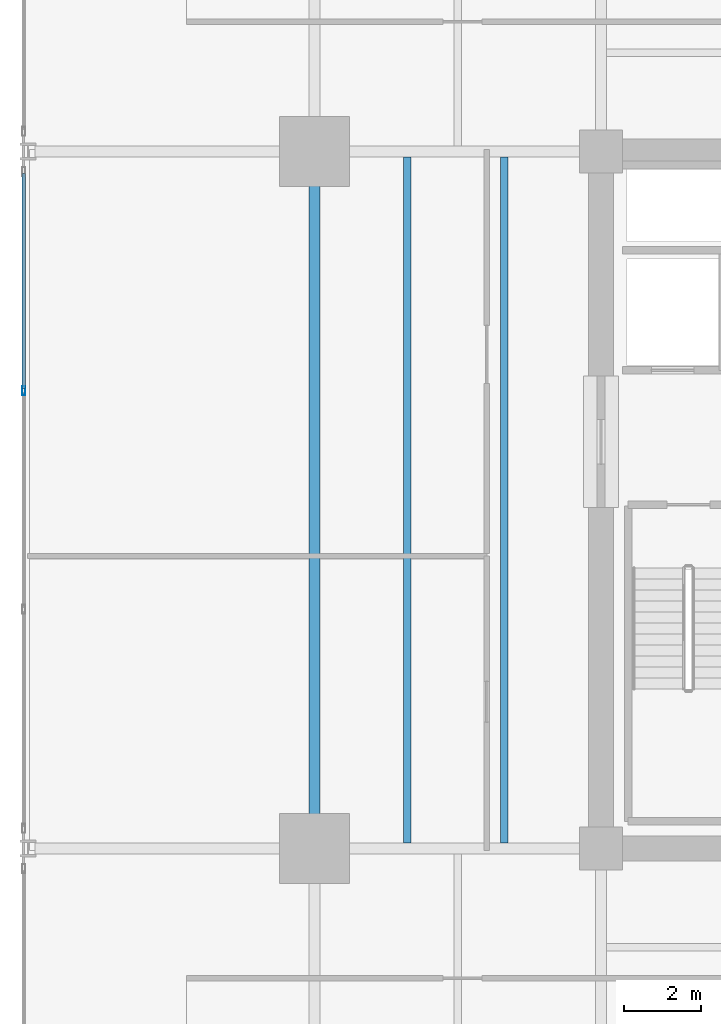
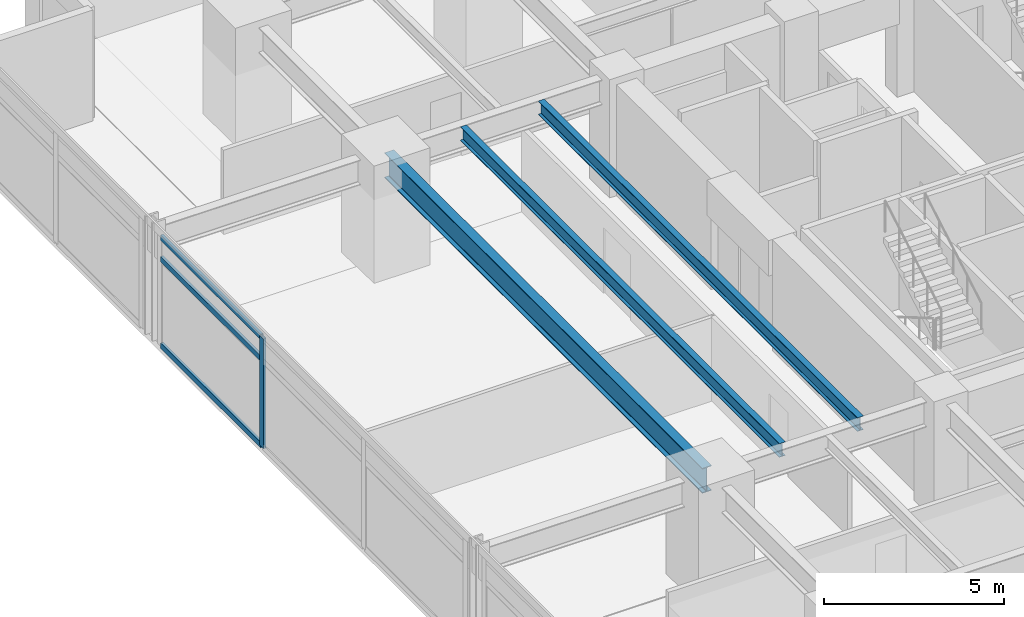
# One storey, part 6 of 23: 4 members, 3 beams, 1 element without a shape of its own.
"""IFC4 building model written with IfcOpenShell, lengths in metres."""

from ifc_helpers import new_model, si_unit, direction, frame, origin, origin_2d, place, context, subcontext, project, spatial, hollow_rectangle, i_section, extrude, material, material_profile, profile_set, type_object, element, aggregate, save


model = new_model("IFC4")

# Units and contexts
model_context = context("Model", 3, precision=1e-05, world=origin(), true_north=direction((0.0, 1.0)))
body_context = subcontext(model_context, "Body", "Model", "MODEL_VIEW")
ifc_project = project(units=[si_unit("LENGTHUNIT", "METRE"), si_unit("AREAUNIT", "SQUARE_METRE"), si_unit("VOLUMEUNIT", "CUBIC_METRE"), si_unit("PLANEANGLEUNIT", "RADIAN"), si_unit("MASSUNIT", "GRAM", prefix="KILO")], contexts=[model_context])

# Site, building, storey
site_placement = place(None, origin())
site = spatial("IfcSite", under=ifc_project, at=site_placement, CompositionType="ELEMENT")
building_placement = place(site_placement, origin())
building = spatial("IfcBuilding", under=site, at=building_placement, Name="Kovane Verandah Tower", CompositionType="ELEMENT")
storey_placement = place(building_placement, frame((0.0, 0.0, 63.60009765625)))
storey = spatial("IfcBuildingStorey", under=building, at=storey_placement, Name="L14", CompositionType="ELEMENT", Elevation=63.60009765625)

# Beam
ifc_material_1 = material(Name="Steel S355", Category="steel")
ifc_material_profile_1 = material_profile(ifc_material_1, i_section(OverallWidth=0.293701171875, OverallDepth=0.850830078125, WebThickness=0.01611328125, FlangeThickness=0.02685546875, FilletRadius=0.017822265625, at=origin_2d()), Name="UB838x292x226")
ifc_profile_set_1 = profile_set([ifc_material_profile_1], Name="Steel S355")
beam_type_1 = type_object("IfcBeamType", Name="BM-UB838x226", PredefinedType="BEAM", material=ifc_profile_set_1)
beam_placement = place(storey_placement, frame((21.60009765625, 18.679931640625, 3.33447265625), z_axis=(0.0, 1.0, 0.0), x_axis=(-1.0, 0.0, 0.0)))
element("IfcBeam", 1, at=beam_placement, inside=storey, type_object=beam_type_1, Name="L14 Primary Tower Girder G-RW2", PredefinedType="BEAM", context=body_context, shape_type="SweptSolid", body=[
    extrude(i_section(OverallWidth=0.293701171875, OverallDepth=0.850830078125, WebThickness=0.01611328125, FlangeThickness=0.02685546875, FilletRadius=0.017822265625, at=origin_2d()), origin(), (0.0, 0.0, 1.0), 17.64013671875),
])

# Curtain wall, members
ifc_material_2 = material(Name="Champagne Anodised Aluminium Frame with Low-E Clear Laminated Glass", Category="aluminium")
curtain_wall_type = type_object("IfcCurtainWallType", Name="CW-SYS-02-LOW", PredefinedType="NOTDEFINED", material=ifc_material_2)
curtain_wall_placement = place(storey_placement, origin())
curtain_wall = element("IfcCurtainWall", 2, at=curtain_wall_placement, inside=storey, type_object=curtain_wall_type, Name="L14 W Unitised Curtain Wall-2", PredefinedType="NOTDEFINED")
ifc_material_3 = material(Name="Champagne Anodised Aluminium 6063-T6", Category="aluminium")
ifc_material_profile_2 = material_profile(ifc_material_3, hollow_rectangle(XDim=0.0849609375, YDim=0.22998046875, WallThickness=0.00390625, at=origin_2d()), Name="AL85x230x4")
ifc_profile_set_2 = profile_set([ifc_material_profile_2], Name="Champagne Anodised Aluminium 6063-T6")
member_type_1 = type_object("IfcMemberType", Name="CW-MUL-85x230", PredefinedType="MULLION", material=ifc_profile_set_2)
member_1_placement = place(storey_placement, frame((14.093017578125, 30.32666015625, 0.02001953125), z_axis=(0.0, 0.0, 1.0), x_axis=(-1.0, 0.0, 0.0)))
member_1 = element("IfcMember", 3, at=member_1_placement, type_object=member_type_1, Name="L14 W Unitised Curtain Wall-2 Mullion 2", PredefinedType="MULLION", context=body_context, shape_type="SweptSolid", body=[
    extrude(hollow_rectangle(XDim=0.0849609375, YDim=0.22998046875, WallThickness=0.00390625, at=origin_2d()), origin(), (0.0, 0.0, 1.0), 3.719970703125),
])
ifc_material_profile_3 = material_profile(ifc_material_3, hollow_rectangle(XDim=0.0849609375, YDim=0.18994140625, WallThickness=0.00390625, at=origin_2d()), Name="AL85x190x4")
ifc_profile_set_3 = profile_set([ifc_material_profile_3], Name="Champagne Anodised Aluminium 6063-T6")
member_type_2 = type_object("IfcMemberType", Name="CW-TRN-85x190", PredefinedType="USERDEFINED", material=ifc_profile_set_3)
member_2_placement = place(storey_placement, frame((14.093017578125, 35.929931640625, 0.0498046875), z_axis=(0.0, -1.0, 0.0), x_axis=(1.0, 0.0, 0.0)))
member_2 = element("IfcMember", 4, at=member_2_placement, type_object=member_type_2, Name="L14 W Unitised Curtain Wall-2 Transom TB Bay 1", ObjectType="TRANSOM", PredefinedType="USERDEFINED", context=body_context, shape_type="SweptSolid", body=[
    extrude(hollow_rectangle(XDim=0.0849609375, YDim=0.18994140625, WallThickness=0.00390625, at=origin_2d()), origin(), (0.0, 0.0, 1.0), 5.55322265625),
])
member_3_placement = place(storey_placement, frame((14.093017578125, 35.929931640625, 2.97998046875), z_axis=(0.0, -1.0, 0.0), x_axis=(1.0, 0.0, 0.0)))
member_3 = element("IfcMember", 5, at=member_3_placement, type_object=member_type_2, Name="L14 W Unitised Curtain Wall-2 Transom TM Bay 1", ObjectType="TRANSOM", PredefinedType="USERDEFINED", context=body_context, shape_type="SweptSolid", body=[
    extrude(hollow_rectangle(XDim=0.0849609375, YDim=0.18994140625, WallThickness=0.00390625, at=origin_2d()), origin(), (0.0, 0.0, 1.0), 5.55322265625),
])
member_4_placement = place(storey_placement, frame((14.093017578125, 35.929931640625, 3.7099609375), z_axis=(0.0, -1.0, 0.0), x_axis=(1.0, 0.0, 0.0)))
member_4 = element("IfcMember", 6, at=member_4_placement, type_object=member_type_2, Name="L14 W Unitised Curtain Wall-2 Transom TT Bay 1", ObjectType="TRANSOM", PredefinedType="USERDEFINED", context=body_context, shape_type="SweptSolid", body=[
    extrude(hollow_rectangle(XDim=0.0849609375, YDim=0.18994140625, WallThickness=0.00390625, at=origin_2d()), origin(), (0.0, 0.0, 1.0), 5.55322265625),
])
aggregate(curtain_wall, [member_1, member_2, member_3, member_4])

# Beams
ifc_material_profile_4 = material_profile(ifc_material_1, i_section(OverallWidth=0.19287109375, OverallDepth=0.46728515625, WebThickness=0.011474609375, FlangeThickness=0.01953125, FilletRadius=0.01025390625, at=origin_2d()), Name="UB457x191x98")
ifc_profile_set_4 = profile_set([ifc_material_profile_4], Name="Steel S355")
beam_type_2 = type_object("IfcBeamType", Name="JST-UB457x98", PredefinedType="JOIST", material=ifc_profile_set_4)
for number, where, z_axis, x_axis, name in (
    (7, (24.0, 18.64501953125, 3.5263671875), (0.0, 1.0, 0.0), (-1.0, 0.0, 0.0), "L14 Secondary Composite Joist J-W1"),
    (8, (26.5, 18.64501953125, 3.5263671875), (0.0, 1.0, 0.0), (-1.0, 0.0, 0.0), "L14 Secondary Composite Joist J-W2"),
):
    element("IfcBeam", number, at=place(storey_placement, frame(where, z_axis=z_axis, x_axis=x_axis)), inside=storey, type_object=beam_type_2, Name=name, PredefinedType="JOIST", context=body_context, shape_type="SweptSolid", body=[
        extrude(i_section(OverallWidth=0.19287109375, OverallDepth=0.46728515625, WebThickness=0.011474609375, FlangeThickness=0.01953125, FilletRadius=0.01025390625, at=origin_2d()), origin(), (0.0, 0.0, 1.0), 17.7099609375),
    ])

save(model, "model.ifc")
